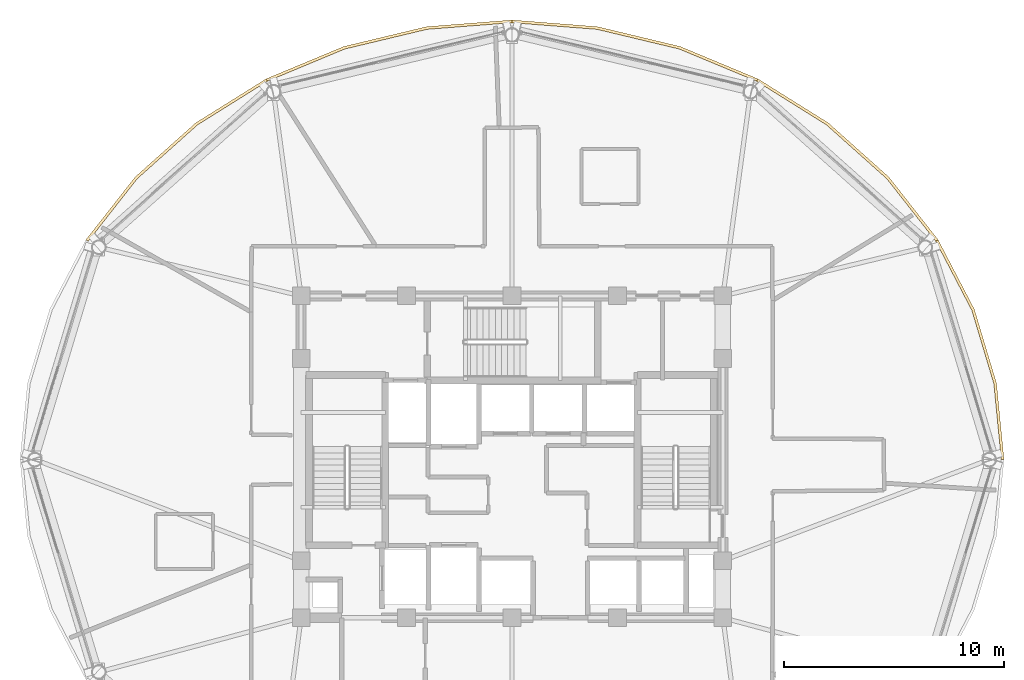
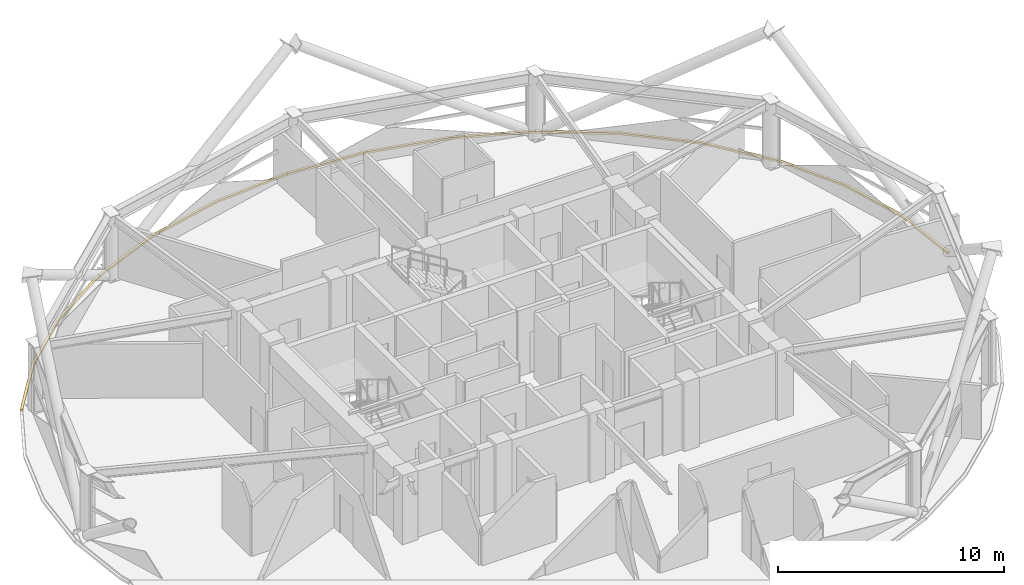
# One storey, part 28 of 28: 5 coverings.
"""IFC4 building model written with IfcOpenShell, lengths in metres."""

from ifc_helpers import new_model, si_unit, direction, frame, origin, place, context, subcontext, project, spatial, polyline, outline, extrude, material, layer, layer_set, type_object, element, save


model = new_model("IFC4")

# Units and contexts
model_context = context("Model", 3, precision=1e-05, world=origin(), true_north=direction((0.0, 1.0)))
body_context = subcontext(model_context, "Body", "Model", "MODEL_VIEW")
ifc_project = project(units=[si_unit("LENGTHUNIT", "METRE"), si_unit("AREAUNIT", "SQUARE_METRE"), si_unit("VOLUMEUNIT", "CUBIC_METRE"), si_unit("PLANEANGLEUNIT", "RADIAN"), si_unit("MASSUNIT", "GRAM", prefix="KILO")], contexts=[model_context])

# Site, building, storey
site_placement = place(None, origin())
site = spatial("IfcSite", under=ifc_project, at=site_placement, CompositionType="ELEMENT")
building_placement = place(site_placement, origin())
building = spatial("IfcBuilding", under=site, at=building_placement, Name="Vantalir Tower", CompositionType="ELEMENT")
storey_placement = place(building_placement, frame((0.0, 0.0, 242.39990234375)))
storey = spatial("IfcBuildingStorey", under=building, at=storey_placement, Name="L61", CompositionType="ELEMENT", Elevation=242.39990234375)

# Coverings
ifc_material = material(Name="Anodised champagne aluminium sill fascia", Category="aluminium")
ifc_layer = layer(ifc_material, 0.125)
ifc_layer_set = layer_set([ifc_layer], Name="Anodised champagne aluminium sill fascia")
covering_type = type_object("IfcCoveringType", Name="COV-SLAB-FASCIA-125", PredefinedType="CLADDING", material=ifc_layer_set)
covering_1_placement = place(storey_placement, frame((0.0, 0.0, -0.179931640625)))
element("IfcCovering", 1, at=covering_1_placement, inside=storey, type_object=covering_type, Name="L61 Perimeter Slab-Edge Sill Fascia 01", PredefinedType="CLADDING", context=body_context, shape_type="SweptSolid", body=[
    extrude(outline(polyline([(53.89306640625, 25.0), (53.552978515625, 28.47412109375), (52.54296875, 31.843017578125), (50.89306640625, 35.00390625), (50.784912109375, 34.94091796875), (52.425048828125, 31.800048828125), (53.429931640625, 28.452880859375), (53.76806640625, 25.0), (53.89306640625, 25.0)])), origin(), (0.0, 0.0, 1.0), 0.10498046875),
])
covering_2_placement = place(storey_placement, frame((0.0, 0.0, -0.179931640625)))
element("IfcCovering", 2, at=covering_2_placement, inside=storey, type_object=covering_type, Name="L61 Perimeter Slab-Edge Sill Fascia 02", PredefinedType="CLADDING", context=body_context, shape_type="SweptSolid", body=[
    extrude(outline(polyline([(50.89306640625, 35.00390625), (48.654052734375, 37.861083984375), (45.89404296875, 40.326904296875), (42.697021484375, 42.326904296875), (42.634033203125, 42.218994140625), (45.81396484375, 40.23095703125), (48.55810546875, 37.781005859375), (50.784912109375, 34.94091796875), (50.89306640625, 35.00390625)])), origin(), (0.0, 0.0, 1.0), 0.10498046875),
])
covering_3_placement = place(storey_placement, frame((0.0, 0.0, -0.179931640625)))
element("IfcCovering", 3, at=covering_3_placement, inside=storey, type_object=covering_type, Name="L61 Perimeter Slab-Edge Sill Fascia 03", PredefinedType="CLADDING", context=body_context, shape_type="SweptSolid", body=[
    extrude(outline(polyline([(42.697021484375, 42.326904296875), (39.158935546875, 43.801025390625), (35.388916015625, 44.7041015625), (31.5, 45.008056640625), (31.5, 44.883056640625), (35.366943359375, 44.5810546875), (39.115966796875, 43.68408203125), (42.634033203125, 42.218994140625), (42.697021484375, 42.326904296875)])), origin(), (0.0, 0.0, 1.0), 0.10498046875),
])
covering_4_placement = place(storey_placement, frame((0.0, 0.0, -0.179931640625)))
element("IfcCovering", 4, at=covering_4_placement, inside=storey, type_object=covering_type, Name="L61 Perimeter Slab-Edge Sill Fascia 04", PredefinedType="CLADDING", context=body_context, shape_type="SweptSolid", body=[
    extrude(outline(polyline([(31.5, 45.008056640625), (27.611083984375, 44.7041015625), (23.841064453125, 43.801025390625), (20.303955078125, 42.326904296875), (20.365966796875, 42.218994140625), (23.884033203125, 43.68408203125), (27.633056640625, 44.5810546875), (31.5, 44.883056640625), (31.5, 45.008056640625)])), origin(), (0.0, 0.0, 1.0), 0.10498046875),
])
covering_5_placement = place(storey_placement, frame((0.0, 0.0, -0.179931640625)))
element("IfcCovering", 5, at=covering_5_placement, inside=storey, type_object=covering_type, Name="L61 Perimeter Slab-Edge Sill Fascia 05", PredefinedType="CLADDING", context=body_context, shape_type="SweptSolid", body=[
    extrude(outline(polyline([(20.303955078125, 42.326904296875), (17.10595703125, 40.326904296875), (14.345947265625, 37.861083984375), (12.10693359375, 35.00390625), (12.215087890625, 34.94091796875), (14.44189453125, 37.781005859375), (17.18603515625, 40.23095703125), (20.365966796875, 42.218994140625), (20.303955078125, 42.326904296875)])), origin(), (0.0, 0.0, 1.0), 0.10498046875),
])

save(model, "model.ifc")
